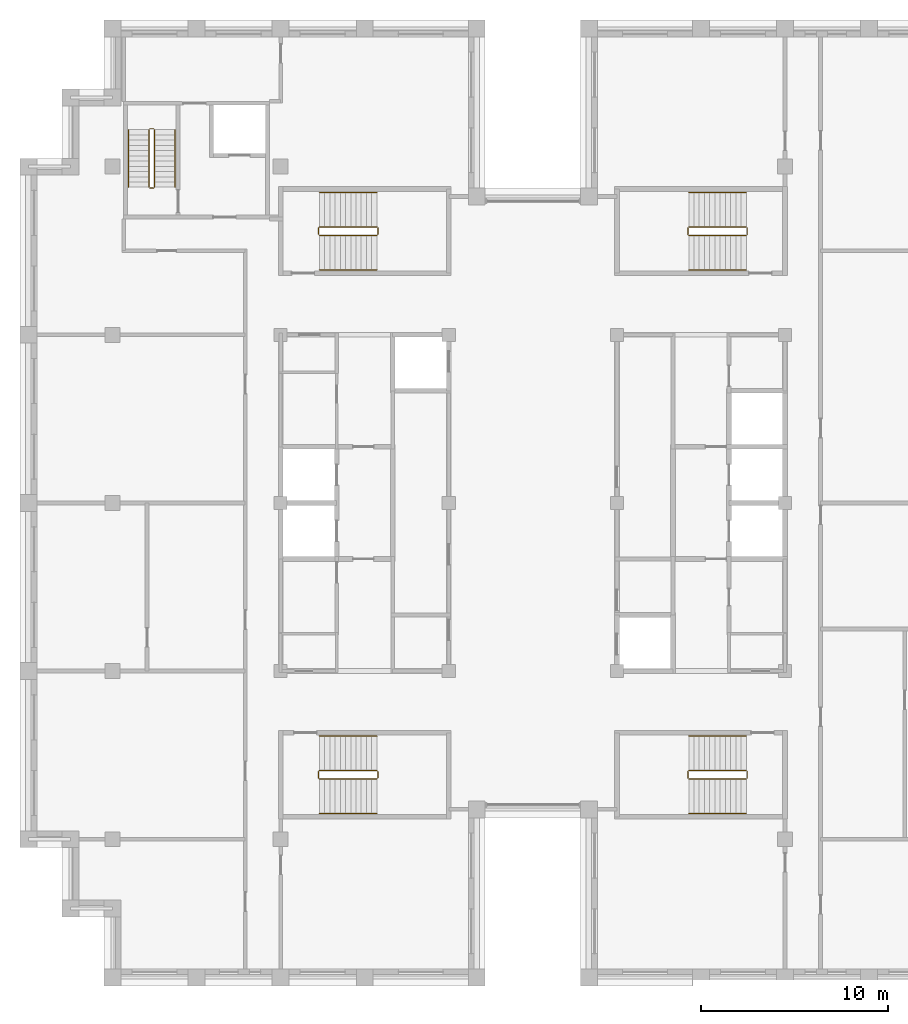
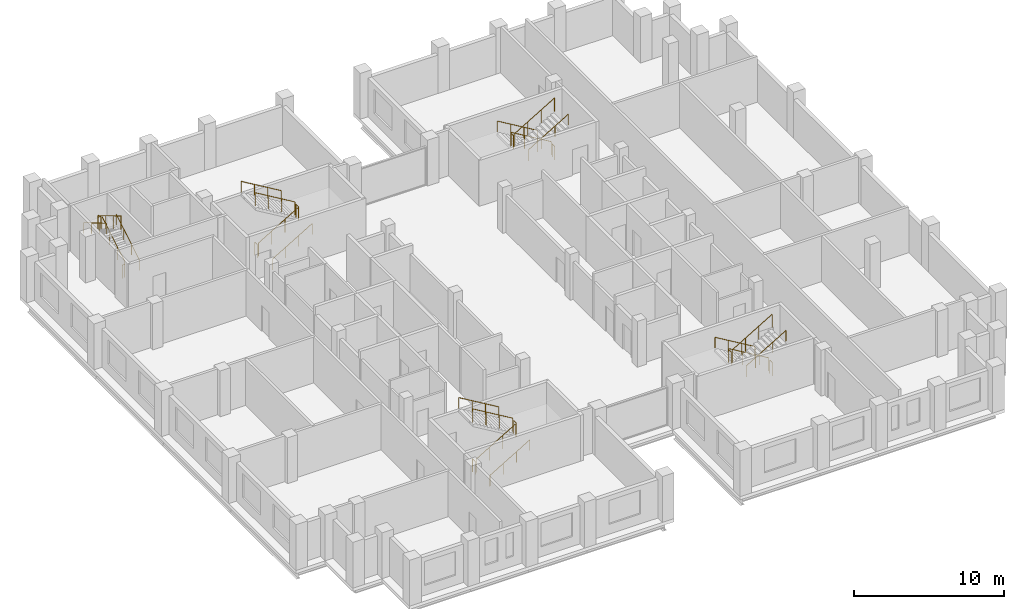
# One storey, part 13 of 13: 5 railings.
"""IFC4 building model written with IfcOpenShell, lengths in metres."""

from ifc_helpers import new_model, si_unit, direction, frame, origin, origin_2d, place, context, subcontext, project, spatial, circle, extrude, material, type_object, element, save


model = new_model("IFC4")

# Units and contexts
model_context = context("Model", 3, precision=1e-05, world=origin(), true_north=direction((0.0, 1.0)))
body_context = subcontext(model_context, "Body", "Model", "MODEL_VIEW")
ifc_project = project(units=[si_unit("LENGTHUNIT", "METRE"), si_unit("AREAUNIT", "SQUARE_METRE"), si_unit("VOLUMEUNIT", "CUBIC_METRE"), si_unit("PLANEANGLEUNIT", "RADIAN"), si_unit("MASSUNIT", "GRAM", prefix="KILO")], contexts=[model_context])

# Site, building, storey
site_placement = place(None, origin())
site = spatial("IfcSite", under=ifc_project, at=site_placement, CompositionType="ELEMENT")
building_placement = place(site_placement, origin())
building = spatial("IfcBuilding", under=site, at=building_placement, Name="Corbelhall Arena Tower", CompositionType="ELEMENT")
storey_placement = place(building_placement, frame((0.0, 0.0, 334.0)))
storey = spatial("IfcBuildingStorey", under=building, at=storey_placement, Name="L73", CompositionType="ELEMENT", Elevation=334.0)

# Railings
ifc_material = material(Name="Steel ASTM A500 Gr C", Category="steel")
railing_type = type_object("IfcRailingType", Name="IN-GD-1100", PredefinedType="GUARDRAIL", material=ifc_material)
railing_1_placement = place(storey_placement, frame((-11.425048828125, 14.324951171875, 0.166748046875)))
element("IfcRailing", 1, at=railing_1_placement, inside=storey, type_object=railing_type, Name="L73 ST1 stair guards and handrails", PredefinedType="GUARDRAIL", context=body_context, shape_type="SweptSolid", body=[
    extrude(circle(Radius=0.02392578125, at=origin_2d()), frame((0.0, 0.0, 1.076171875), z_axis=(0.859308565015, 0.0, 0.511457515432), x_axis=(0.0, 1.0, 0.0)), (0.0, 0.0, 1.0), 3.58447265625),
    extrude(circle(Radius=0.02392578125, at=origin_2d()), frame((3.130126953125, 0.050048828125, 2.9091796875), z_axis=(0.0, 1.0, 0.0), x_axis=(-1.0, 0.0, 0.0)), (0.0, 0.0, 1.0), 0.35009765625),
    extrude(circle(Radius=0.02392578125, at=origin_2d()), frame((3.080078125, 0.449951171875, 3.076171875), z_axis=(-0.859308565015, 0.0, 0.511457515432), x_axis=(0.0, -1.0, 0.0)), (0.0, 0.0, 1.0), 3.58447265625),
    extrude(circle(Radius=0.02392578125, at=origin_2d()), frame((-0.050048828125, 0.050048828125, 0.9091796875), z_axis=(0.0, 1.0, 0.0), x_axis=(-1.0, 0.0, 0.0)), (0.0, 0.0, 1.0), 0.35009765625),
    extrude(circle(Radius=0.02392578125, at=origin_2d()), frame((0.0, -1.849853515625, 0.8759765625), z_axis=(0.859308565015, 0.0, 0.511457515432), x_axis=(0.0, 1.0, 0.0)), (0.0, 0.0, 1.0), 3.58447265625),
    extrude(circle(Radius=0.02392578125, at=origin_2d()), frame((3.080078125, 2.300048828125, 2.8759765625), z_axis=(-0.859308565015, 0.0, 0.511457515432), x_axis=(0.0, -1.0, 0.0)), (0.0, 0.0, 1.0), 3.58447265625),
    extrude(circle(Radius=0.02099609375, at=origin_2d()), origin(), (0.0, 0.0, 1.0), 1.052001953125),
    extrude(circle(Radius=0.02099609375, at=origin_2d()), frame((1.026611328125, 0.0, 0.611083984375)), (0.0, 0.0, 1.0), 1.052001953125),
    extrude(circle(Radius=0.02099609375, at=origin_2d()), frame((2.053466796875, 0.0, 1.22216796875)), (0.0, 0.0, 1.0), 1.052001953125),
    extrude(circle(Radius=0.02099609375, at=origin_2d()), frame((3.080078125, 0.0, 1.833251953125)), (0.0, 0.0, 1.0), 1.052001953125),
    extrude(circle(Radius=0.02099609375, at=origin_2d()), frame((3.130126953125, 0.050048828125, 1.833251953125)), (0.0, 0.0, 1.0), 1.052001953125),
    extrude(circle(Radius=0.02099609375, at=origin_2d()), frame((3.130126953125, 0.400146484375, 1.833251953125)), (0.0, 0.0, 1.0), 1.052001953125),
    extrude(circle(Radius=0.02099609375, at=origin_2d()), frame((3.080078125, 0.449951171875, 2.0)), (0.0, 0.0, 1.0), 1.052001953125),
    extrude(circle(Radius=0.02099609375, at=origin_2d()), frame((2.053466796875, 0.449951171875, 2.611083984375)), (0.0, 0.0, 1.0), 1.052001953125),
    extrude(circle(Radius=0.02099609375, at=origin_2d()), frame((1.026611328125, 0.449951171875, 3.22216796875)), (0.0, 0.0, 1.0), 1.052001953125),
    extrude(circle(Radius=0.02099609375, at=origin_2d()), frame((0.0, 0.449951171875, 3.833251953125)), (0.0, 0.0, 1.0), 1.052001953125),
    extrude(circle(Radius=0.02099609375, at=origin_2d()), frame((-0.050048828125, 0.050048828125, -0.166748046875)), (0.0, 0.0, 1.0), 1.052001953125),
    extrude(circle(Radius=0.02099609375, at=origin_2d()), frame((-0.050048828125, 0.400146484375, -0.166748046875)), (0.0, 0.0, 1.0), 1.052001953125),
    extrude(circle(Radius=0.02099609375, at=origin_2d()), frame((0.0, -1.849853515625, 0.0)), (0.0, 0.0, 1.0), 0.851806640625),
    extrude(circle(Radius=0.02099609375, at=origin_2d()), frame((1.026611328125, -1.849853515625, 0.611083984375)), (0.0, 0.0, 1.0), 0.851806640625),
    extrude(circle(Radius=0.02099609375, at=origin_2d()), frame((2.053466796875, -1.849853515625, 1.22216796875)), (0.0, 0.0, 1.0), 0.851806640625),
    extrude(circle(Radius=0.02099609375, at=origin_2d()), frame((3.080078125, -1.849853515625, 1.833251953125)), (0.0, 0.0, 1.0), 0.851806640625),
    extrude(circle(Radius=0.02099609375, at=origin_2d()), frame((3.080078125, 2.300048828125, 2.0)), (0.0, 0.0, 1.0), 0.851806640625),
    extrude(circle(Radius=0.02099609375, at=origin_2d()), frame((2.053466796875, 2.300048828125, 2.611083984375)), (0.0, 0.0, 1.0), 0.851806640625),
    extrude(circle(Radius=0.02099609375, at=origin_2d()), frame((1.026611328125, 2.300048828125, 3.22216796875)), (0.0, 0.0, 1.0), 0.851806640625),
    extrude(circle(Radius=0.02099609375, at=origin_2d()), frame((0.0, 2.300048828125, 3.833251953125)), (0.0, 0.0, 1.0), 0.851806640625),
])
railing_2_placement = place(storey_placement, frame((-11.425048828125, -14.77490234375, 0.166748046875)))
element("IfcRailing", 2, at=railing_2_placement, inside=storey, type_object=railing_type, Name="L73 ST2 stair guards and handrails", PredefinedType="GUARDRAIL", context=body_context, shape_type="SweptSolid", body=[
    extrude(circle(Radius=0.02392578125, at=origin_2d()), frame((0.0, 0.0, 1.076171875), z_axis=(0.859308565015, 0.0, 0.511457515432), x_axis=(0.0, 1.0, 0.0)), (0.0, 0.0, 1.0), 3.58447265625),
    extrude(circle(Radius=0.02392578125, at=origin_2d()), frame((3.130126953125, 0.0498046875, 2.9091796875), z_axis=(0.0, 1.0, 0.0), x_axis=(-1.0, 0.0, 0.0)), (0.0, 0.0, 1.0), 0.35009765625),
    extrude(circle(Radius=0.02392578125, at=origin_2d()), frame((3.080078125, 0.449951171875, 3.076171875), z_axis=(-0.859308565015, 0.0, 0.511457515432), x_axis=(0.0, -1.0, 0.0)), (0.0, 0.0, 1.0), 3.58447265625),
    extrude(circle(Radius=0.02392578125, at=origin_2d()), frame((-0.050048828125, 0.0498046875, 0.9091796875), z_axis=(0.0, 1.0, 0.0), x_axis=(-1.0, 0.0, 0.0)), (0.0, 0.0, 1.0), 0.35009765625),
    extrude(circle(Radius=0.02392578125, at=origin_2d()), frame((0.0, -1.85009765625, 0.8759765625), z_axis=(0.859308565015, 0.0, 0.511457515432), x_axis=(0.0, 1.0, 0.0)), (0.0, 0.0, 1.0), 3.58447265625),
    extrude(circle(Radius=0.02392578125, at=origin_2d()), frame((3.080078125, 2.2998046875, 2.8759765625), z_axis=(-0.859308565015, 0.0, 0.511457515432), x_axis=(0.0, -1.0, 0.0)), (0.0, 0.0, 1.0), 3.58447265625),
    extrude(circle(Radius=0.02099609375, at=origin_2d()), origin(), (0.0, 0.0, 1.0), 1.052001953125),
    extrude(circle(Radius=0.02099609375, at=origin_2d()), frame((1.026611328125, 0.0, 0.611083984375)), (0.0, 0.0, 1.0), 1.052001953125),
    extrude(circle(Radius=0.02099609375, at=origin_2d()), frame((2.053466796875, 0.0, 1.22216796875)), (0.0, 0.0, 1.0), 1.052001953125),
    extrude(circle(Radius=0.02099609375, at=origin_2d()), frame((3.080078125, 0.0, 1.833251953125)), (0.0, 0.0, 1.0), 1.052001953125),
    extrude(circle(Radius=0.02099609375, at=origin_2d()), frame((3.130126953125, 0.0498046875, 1.833251953125)), (0.0, 0.0, 1.0), 1.052001953125),
    extrude(circle(Radius=0.02099609375, at=origin_2d()), frame((3.130126953125, 0.39990234375, 1.833251953125)), (0.0, 0.0, 1.0), 1.052001953125),
    extrude(circle(Radius=0.02099609375, at=origin_2d()), frame((3.080078125, 0.449951171875, 2.0)), (0.0, 0.0, 1.0), 1.052001953125),
    extrude(circle(Radius=0.02099609375, at=origin_2d()), frame((2.053466796875, 0.449951171875, 2.611083984375)), (0.0, 0.0, 1.0), 1.052001953125),
    extrude(circle(Radius=0.02099609375, at=origin_2d()), frame((1.026611328125, 0.449951171875, 3.22216796875)), (0.0, 0.0, 1.0), 1.052001953125),
    extrude(circle(Radius=0.02099609375, at=origin_2d()), frame((0.0, 0.449951171875, 3.833251953125)), (0.0, 0.0, 1.0), 1.052001953125),
    extrude(circle(Radius=0.02099609375, at=origin_2d()), frame((-0.050048828125, 0.0498046875, -0.166748046875)), (0.0, 0.0, 1.0), 1.052001953125),
    extrude(circle(Radius=0.02099609375, at=origin_2d()), frame((-0.050048828125, 0.39990234375, -0.166748046875)), (0.0, 0.0, 1.0), 1.052001953125),
    extrude(circle(Radius=0.02099609375, at=origin_2d()), frame((0.0, -1.85009765625, 0.0)), (0.0, 0.0, 1.0), 0.851806640625),
    extrude(circle(Radius=0.02099609375, at=origin_2d()), frame((1.026611328125, -1.85009765625, 0.611083984375)), (0.0, 0.0, 1.0), 0.851806640625),
    extrude(circle(Radius=0.02099609375, at=origin_2d()), frame((2.053466796875, -1.85009765625, 1.22216796875)), (0.0, 0.0, 1.0), 0.851806640625),
    extrude(circle(Radius=0.02099609375, at=origin_2d()), frame((3.080078125, -1.85009765625, 1.833251953125)), (0.0, 0.0, 1.0), 0.851806640625),
    extrude(circle(Radius=0.02099609375, at=origin_2d()), frame((3.080078125, 2.2998046875, 2.0)), (0.0, 0.0, 1.0), 0.851806640625),
    extrude(circle(Radius=0.02099609375, at=origin_2d()), frame((2.053466796875, 2.2998046875, 2.611083984375)), (0.0, 0.0, 1.0), 0.851806640625),
    extrude(circle(Radius=0.02099609375, at=origin_2d()), frame((1.026611328125, 2.2998046875, 3.22216796875)), (0.0, 0.0, 1.0), 0.851806640625),
    extrude(circle(Radius=0.02099609375, at=origin_2d()), frame((0.0, 2.2998046875, 3.833251953125)), (0.0, 0.0, 1.0), 0.851806640625),
])
railing_3_placement = place(storey_placement, frame((11.425048828125, 14.77490234375, 0.166748046875)))
element("IfcRailing", 3, at=railing_3_placement, inside=storey, type_object=railing_type, Name="L73 ST3 stair guards and handrails", PredefinedType="GUARDRAIL", context=body_context, shape_type="SweptSolid", body=[
    extrude(circle(Radius=0.02392578125, at=origin_2d()), frame((0.0, 0.0, 1.076171875), z_axis=(-0.859308565015, 0.0, 0.511457515432), x_axis=(0.0, -1.0, 0.0)), (0.0, 0.0, 1.0), 3.58447265625),
    extrude(circle(Radius=0.02392578125, at=origin_2d()), frame((-3.130126953125, -0.0498046875, 2.9091796875), z_axis=(0.0, -1.0, 0.0), x_axis=(1.0, 0.0, 0.0)), (0.0, 0.0, 1.0), 0.35009765625),
    extrude(circle(Radius=0.02392578125, at=origin_2d()), frame((-3.080078125, -0.449951171875, 3.076171875), z_axis=(0.859308565015, 0.0, 0.511457515432), x_axis=(0.0, 1.0, 0.0)), (0.0, 0.0, 1.0), 3.58447265625),
    extrude(circle(Radius=0.02392578125, at=origin_2d()), frame((0.050048828125, -0.0498046875, 0.9091796875), z_axis=(0.0, -1.0, 0.0), x_axis=(1.0, 0.0, 0.0)), (0.0, 0.0, 1.0), 0.35009765625),
    extrude(circle(Radius=0.02392578125, at=origin_2d()), frame((0.0, 1.85009765625, 0.8759765625), z_axis=(-0.859308565015, 0.0, 0.511457515432), x_axis=(0.0, -1.0, 0.0)), (0.0, 0.0, 1.0), 3.58447265625),
    extrude(circle(Radius=0.02392578125, at=origin_2d()), frame((-3.080078125, -2.2998046875, 2.8759765625), z_axis=(0.859308565015, 0.0, 0.511457515432), x_axis=(0.0, 1.0, 0.0)), (0.0, 0.0, 1.0), 3.58447265625),
    extrude(circle(Radius=0.02099609375, at=origin_2d()), origin(), (0.0, 0.0, 1.0), 1.052001953125),
    extrude(circle(Radius=0.02099609375, at=origin_2d()), frame((-1.026611328125, 0.0, 0.611083984375)), (0.0, 0.0, 1.0), 1.052001953125),
    extrude(circle(Radius=0.02099609375, at=origin_2d()), frame((-2.053466796875, 0.0, 1.22216796875)), (0.0, 0.0, 1.0), 1.052001953125),
    extrude(circle(Radius=0.02099609375, at=origin_2d()), frame((-3.080078125, 0.0, 1.833251953125)), (0.0, 0.0, 1.0), 1.052001953125),
    extrude(circle(Radius=0.02099609375, at=origin_2d()), frame((-3.130126953125, -0.0498046875, 1.833251953125)), (0.0, 0.0, 1.0), 1.052001953125),
    extrude(circle(Radius=0.02099609375, at=origin_2d()), frame((-3.130126953125, -0.39990234375, 1.833251953125)), (0.0, 0.0, 1.0), 1.052001953125),
    extrude(circle(Radius=0.02099609375, at=origin_2d()), frame((-3.080078125, -0.449951171875, 2.0)), (0.0, 0.0, 1.0), 1.052001953125),
    extrude(circle(Radius=0.02099609375, at=origin_2d()), frame((-2.053466796875, -0.449951171875, 2.611083984375)), (0.0, 0.0, 1.0), 1.052001953125),
    extrude(circle(Radius=0.02099609375, at=origin_2d()), frame((-1.026611328125, -0.449951171875, 3.22216796875)), (0.0, 0.0, 1.0), 1.052001953125),
    extrude(circle(Radius=0.02099609375, at=origin_2d()), frame((0.0, -0.449951171875, 3.833251953125)), (0.0, 0.0, 1.0), 1.052001953125),
    extrude(circle(Radius=0.02099609375, at=origin_2d()), frame((0.050048828125, -0.0498046875, -0.166748046875)), (0.0, 0.0, 1.0), 1.052001953125),
    extrude(circle(Radius=0.02099609375, at=origin_2d()), frame((0.050048828125, -0.39990234375, -0.166748046875)), (0.0, 0.0, 1.0), 1.052001953125),
    extrude(circle(Radius=0.02099609375, at=origin_2d()), frame((0.0, 1.85009765625, 0.0)), (0.0, 0.0, 1.0), 0.851806640625),
    extrude(circle(Radius=0.02099609375, at=origin_2d()), frame((-1.026611328125, 1.85009765625, 0.611083984375)), (0.0, 0.0, 1.0), 0.851806640625),
    extrude(circle(Radius=0.02099609375, at=origin_2d()), frame((-2.053466796875, 1.85009765625, 1.22216796875)), (0.0, 0.0, 1.0), 0.851806640625),
    extrude(circle(Radius=0.02099609375, at=origin_2d()), frame((-3.080078125, 1.85009765625, 1.833251953125)), (0.0, 0.0, 1.0), 0.851806640625),
    extrude(circle(Radius=0.02099609375, at=origin_2d()), frame((-3.080078125, -2.2998046875, 2.0)), (0.0, 0.0, 1.0), 0.851806640625),
    extrude(circle(Radius=0.02099609375, at=origin_2d()), frame((-2.053466796875, -2.2998046875, 2.611083984375)), (0.0, 0.0, 1.0), 0.851806640625),
    extrude(circle(Radius=0.02099609375, at=origin_2d()), frame((-1.026611328125, -2.2998046875, 3.22216796875)), (0.0, 0.0, 1.0), 0.851806640625),
    extrude(circle(Radius=0.02099609375, at=origin_2d()), frame((0.0, -2.2998046875, 3.833251953125)), (0.0, 0.0, 1.0), 0.851806640625),
])
railing_4_placement = place(storey_placement, frame((11.425048828125, -14.324951171875, 0.166748046875)))
element("IfcRailing", 4, at=railing_4_placement, inside=storey, type_object=railing_type, Name="L73 ST4 stair guards and handrails", PredefinedType="GUARDRAIL", context=body_context, shape_type="SweptSolid", body=[
    extrude(circle(Radius=0.02392578125, at=origin_2d()), frame((0.0, 0.0, 1.076171875), z_axis=(-0.859308565015, 0.0, 0.511457515432), x_axis=(0.0, -1.0, 0.0)), (0.0, 0.0, 1.0), 3.58447265625),
    extrude(circle(Radius=0.02392578125, at=origin_2d()), frame((-3.130126953125, -0.050048828125, 2.9091796875), z_axis=(0.0, -1.0, 0.0), x_axis=(1.0, 0.0, 0.0)), (0.0, 0.0, 1.0), 0.35009765625),
    extrude(circle(Radius=0.02392578125, at=origin_2d()), frame((-3.080078125, -0.449951171875, 3.076171875), z_axis=(0.859308565015, 0.0, 0.511457515432), x_axis=(0.0, 1.0, 0.0)), (0.0, 0.0, 1.0), 3.58447265625),
    extrude(circle(Radius=0.02392578125, at=origin_2d()), frame((0.050048828125, -0.050048828125, 0.9091796875), z_axis=(0.0, -1.0, 0.0), x_axis=(1.0, 0.0, 0.0)), (0.0, 0.0, 1.0), 0.35009765625),
    extrude(circle(Radius=0.02392578125, at=origin_2d()), frame((0.0, 1.849853515625, 0.8759765625), z_axis=(-0.859308565015, 0.0, 0.511457515432), x_axis=(0.0, -1.0, 0.0)), (0.0, 0.0, 1.0), 3.58447265625),
    extrude(circle(Radius=0.02392578125, at=origin_2d()), frame((-3.080078125, -2.300048828125, 2.8759765625), z_axis=(0.859308565015, 0.0, 0.511457515432), x_axis=(0.0, 1.0, 0.0)), (0.0, 0.0, 1.0), 3.58447265625),
    extrude(circle(Radius=0.02099609375, at=origin_2d()), origin(), (0.0, 0.0, 1.0), 1.052001953125),
    extrude(circle(Radius=0.02099609375, at=origin_2d()), frame((-1.026611328125, 0.0, 0.611083984375)), (0.0, 0.0, 1.0), 1.052001953125),
    extrude(circle(Radius=0.02099609375, at=origin_2d()), frame((-2.053466796875, 0.0, 1.22216796875)), (0.0, 0.0, 1.0), 1.052001953125),
    extrude(circle(Radius=0.02099609375, at=origin_2d()), frame((-3.080078125, 0.0, 1.833251953125)), (0.0, 0.0, 1.0), 1.052001953125),
    extrude(circle(Radius=0.02099609375, at=origin_2d()), frame((-3.130126953125, -0.050048828125, 1.833251953125)), (0.0, 0.0, 1.0), 1.052001953125),
    extrude(circle(Radius=0.02099609375, at=origin_2d()), frame((-3.130126953125, -0.400146484375, 1.833251953125)), (0.0, 0.0, 1.0), 1.052001953125),
    extrude(circle(Radius=0.02099609375, at=origin_2d()), frame((-3.080078125, -0.449951171875, 2.0)), (0.0, 0.0, 1.0), 1.052001953125),
    extrude(circle(Radius=0.02099609375, at=origin_2d()), frame((-2.053466796875, -0.449951171875, 2.611083984375)), (0.0, 0.0, 1.0), 1.052001953125),
    extrude(circle(Radius=0.02099609375, at=origin_2d()), frame((-1.026611328125, -0.449951171875, 3.22216796875)), (0.0, 0.0, 1.0), 1.052001953125),
    extrude(circle(Radius=0.02099609375, at=origin_2d()), frame((0.0, -0.449951171875, 3.833251953125)), (0.0, 0.0, 1.0), 1.052001953125),
    extrude(circle(Radius=0.02099609375, at=origin_2d()), frame((0.050048828125, -0.050048828125, -0.166748046875)), (0.0, 0.0, 1.0), 1.052001953125),
    extrude(circle(Radius=0.02099609375, at=origin_2d()), frame((0.050048828125, -0.400146484375, -0.166748046875)), (0.0, 0.0, 1.0), 1.052001953125),
    extrude(circle(Radius=0.02099609375, at=origin_2d()), frame((0.0, 1.849853515625, 0.0)), (0.0, 0.0, 1.0), 0.851806640625),
    extrude(circle(Radius=0.02099609375, at=origin_2d()), frame((-1.026611328125, 1.849853515625, 0.611083984375)), (0.0, 0.0, 1.0), 0.851806640625),
    extrude(circle(Radius=0.02099609375, at=origin_2d()), frame((-2.053466796875, 1.849853515625, 1.22216796875)), (0.0, 0.0, 1.0), 0.851806640625),
    extrude(circle(Radius=0.02099609375, at=origin_2d()), frame((-3.080078125, 1.849853515625, 1.833251953125)), (0.0, 0.0, 1.0), 0.851806640625),
    extrude(circle(Radius=0.02099609375, at=origin_2d()), frame((-3.080078125, -2.300048828125, 2.0)), (0.0, 0.0, 1.0), 0.851806640625),
    extrude(circle(Radius=0.02099609375, at=origin_2d()), frame((-2.053466796875, -2.300048828125, 2.611083984375)), (0.0, 0.0, 1.0), 0.851806640625),
    extrude(circle(Radius=0.02099609375, at=origin_2d()), frame((-1.026611328125, -2.300048828125, 3.22216796875)), (0.0, 0.0, 1.0), 0.851806640625),
    extrude(circle(Radius=0.02099609375, at=origin_2d()), frame((0.0, -2.300048828125, 3.833251953125)), (0.0, 0.0, 1.0), 0.851806640625),
])
railing_5_placement = place(storey_placement, frame((-20.2451171875, 16.89990234375, 0.166748046875)))
element("IfcRailing", 5, at=railing_5_placement, inside=storey, type_object=railing_type, Name="L73 ST5 stair guards and handrails", PredefinedType="GUARDRAIL", context=body_context, shape_type="SweptSolid", body=[
    extrude(circle(Radius=0.02392578125, at=origin_2d()), frame((0.0, 0.0, 1.076171875), z_axis=(0.0, 0.859308565015, 0.511457515432), x_axis=(-1.0, 0.0, 0.0)), (0.0, 0.0, 1.0), 3.58447265625),
    extrude(circle(Radius=0.02392578125, at=origin_2d()), frame((-0.0498046875, 3.130126953125, 2.9091796875), z_axis=(-1.0, 0.0, 0.0), x_axis=(0.0, -1.0, 0.0)), (0.0, 0.0, 1.0), 0.2001953125),
    extrude(circle(Radius=0.02392578125, at=origin_2d()), frame((-0.2998046875, 3.080078125, 3.076171875), z_axis=(0.0, -0.859308565015, 0.511457515432), x_axis=(1.0, 0.0, 0.0)), (0.0, 0.0, 1.0), 3.58447265625),
    extrude(circle(Radius=0.02392578125, at=origin_2d()), frame((-0.0498046875, -0.0498046875, 0.9091796875), z_axis=(-1.0, 0.0, 0.0), x_axis=(0.0, -1.0, 0.0)), (0.0, 0.0, 1.0), 0.2001953125),
    extrude(circle(Radius=0.02392578125, at=origin_2d()), frame((1.10009765625, 0.0, 0.8759765625), z_axis=(0.0, 0.859308565015, 0.511457515432), x_axis=(-1.0, 0.0, 0.0)), (0.0, 0.0, 1.0), 3.58447265625),
    extrude(circle(Radius=0.02392578125, at=origin_2d()), frame((-1.39990234375, 3.080078125, 2.8759765625), z_axis=(0.0, -0.859308565015, 0.511457515432), x_axis=(1.0, 0.0, 0.0)), (0.0, 0.0, 1.0), 3.58447265625),
    extrude(circle(Radius=0.02099609375, at=origin_2d()), origin(), (0.0, 0.0, 1.0), 1.052001953125),
    extrude(circle(Radius=0.02099609375, at=origin_2d()), frame((0.0, 1.026611328125, 0.611083984375)), (0.0, 0.0, 1.0), 1.052001953125),
    extrude(circle(Radius=0.02099609375, at=origin_2d()), frame((0.0, 2.053466796875, 1.22216796875)), (0.0, 0.0, 1.0), 1.052001953125),
    extrude(circle(Radius=0.02099609375, at=origin_2d()), frame((0.0, 3.080078125, 1.833251953125)), (0.0, 0.0, 1.0), 1.052001953125),
    extrude(circle(Radius=0.02099609375, at=origin_2d()), frame((-0.0498046875, 3.130126953125, 1.833251953125)), (0.0, 0.0, 1.0), 1.052001953125),
    extrude(circle(Radius=0.02099609375, at=origin_2d()), frame((-0.25, 3.130126953125, 1.833251953125)), (0.0, 0.0, 1.0), 1.052001953125),
    extrude(circle(Radius=0.02099609375, at=origin_2d()), frame((-0.2998046875, 3.080078125, 2.0)), (0.0, 0.0, 1.0), 1.052001953125),
    extrude(circle(Radius=0.02099609375, at=origin_2d()), frame((-0.2998046875, 2.053466796875, 2.611083984375)), (0.0, 0.0, 1.0), 1.052001953125),
    extrude(circle(Radius=0.02099609375, at=origin_2d()), frame((-0.2998046875, 1.026611328125, 3.22216796875)), (0.0, 0.0, 1.0), 1.052001953125),
    extrude(circle(Radius=0.02099609375, at=origin_2d()), frame((-0.2998046875, 0.0, 3.833251953125)), (0.0, 0.0, 1.0), 1.052001953125),
    extrude(circle(Radius=0.02099609375, at=origin_2d()), frame((-0.0498046875, -0.0498046875, -0.166748046875)), (0.0, 0.0, 1.0), 1.052001953125),
    extrude(circle(Radius=0.02099609375, at=origin_2d()), frame((-0.25, -0.0498046875, -0.166748046875)), (0.0, 0.0, 1.0), 1.052001953125),
    extrude(circle(Radius=0.02099609375, at=origin_2d()), frame((1.10009765625, 0.0, 0.0)), (0.0, 0.0, 1.0), 0.851806640625),
    extrude(circle(Radius=0.02099609375, at=origin_2d()), frame((1.10009765625, 1.026611328125, 0.611083984375)), (0.0, 0.0, 1.0), 0.851806640625),
    extrude(circle(Radius=0.02099609375, at=origin_2d()), frame((1.10009765625, 2.053466796875, 1.22216796875)), (0.0, 0.0, 1.0), 0.851806640625),
    extrude(circle(Radius=0.02099609375, at=origin_2d()), frame((1.10009765625, 3.080078125, 1.833251953125)), (0.0, 0.0, 1.0), 0.851806640625),
    extrude(circle(Radius=0.02099609375, at=origin_2d()), frame((-1.39990234375, 3.080078125, 2.0)), (0.0, 0.0, 1.0), 0.851806640625),
    extrude(circle(Radius=0.02099609375, at=origin_2d()), frame((-1.39990234375, 2.053466796875, 2.611083984375)), (0.0, 0.0, 1.0), 0.851806640625),
    extrude(circle(Radius=0.02099609375, at=origin_2d()), frame((-1.39990234375, 1.026611328125, 3.22216796875)), (0.0, 0.0, 1.0), 0.851806640625),
    extrude(circle(Radius=0.02099609375, at=origin_2d()), frame((-1.39990234375, 0.0, 3.833251953125)), (0.0, 0.0, 1.0), 0.851806640625),
])

save(model, "model.ifc")
